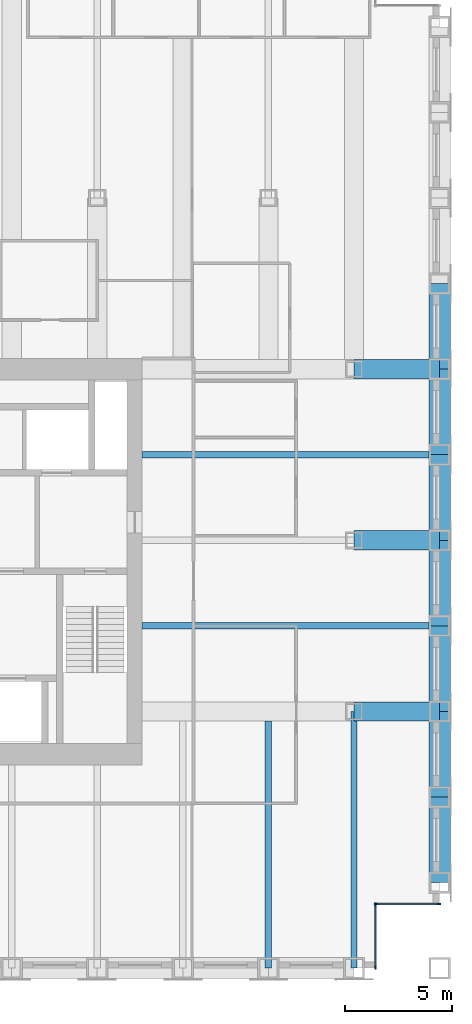
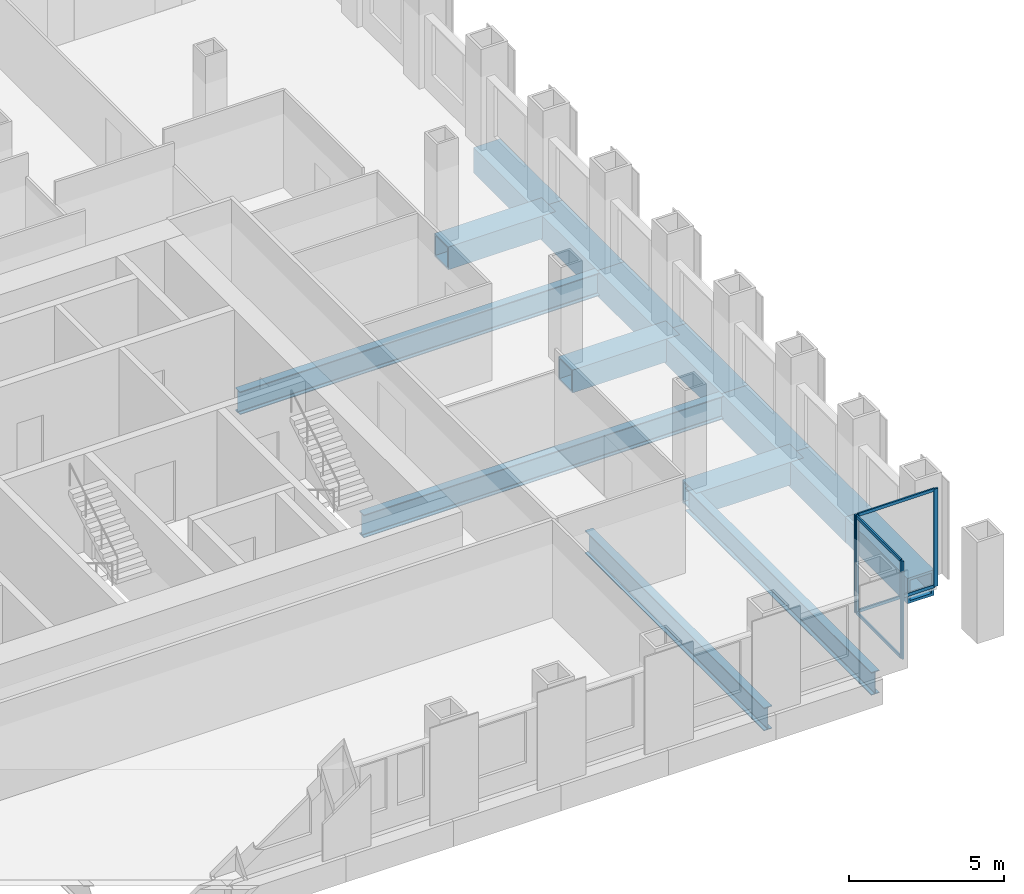
# One storey, part 4 of 13: 14 beams, 8 members, 2 elements without a shape of their own.
"""IFC4 building model written with IfcOpenShell, lengths in metres."""

from ifc_helpers import new_model, si_unit, direction, frame, origin, origin_2d, place, context, subcontext, project, spatial, rectangle, hollow_rectangle, i_section, extrude, material, material_profile, profile_set, type_object, element, aggregate, save


model = new_model("IFC4")

# Units and contexts
model_context = context("Model", 3, precision=1e-05, world=origin(), true_north=direction((0.0, 1.0)))
body_context = subcontext(model_context, "Body", "Model", "MODEL_VIEW")
ifc_project = project(units=[si_unit("LENGTHUNIT", "METRE"), si_unit("AREAUNIT", "SQUARE_METRE"), si_unit("VOLUMEUNIT", "CUBIC_METRE"), si_unit("PLANEANGLEUNIT", "RADIAN"), si_unit("MASSUNIT", "GRAM", prefix="KILO")], contexts=[model_context])

# Site, building, storey
site_placement = place(None, origin())
site = spatial("IfcSite", under=ifc_project, at=site_placement, CompositionType="ELEMENT")
building_placement = place(site_placement, origin())
building = spatial("IfcBuilding", under=site, at=building_placement, Name="Rimbunsela Tower", CompositionType="ELEMENT")
storey_placement = place(building_placement, frame((0.0, 0.0, 222.199951171875)))
storey = spatial("IfcBuildingStorey", under=building, at=storey_placement, Name="L53", CompositionType="ELEMENT", Elevation=222.199951171875)

# Beams
ifc_material_1 = material(Name="Steel BJ 55 (fy 410 MPa)", Category="steel")
ifc_material_profile_1 = material_profile(ifc_material_1, hollow_rectangle(XDim=1.0, YDim=1.0, WallThickness=0.10009765625, at=origin_2d()), Name="BOX 1000x1000x100")
ifc_profile_set_1 = profile_set([ifc_material_profile_1], Name="Steel BJ 55 (fy 410 MPa)")
beam_type_1 = type_object("IfcBeamType", Name="Beam BOX 1000x1000x100", PredefinedType="BEAM", material=ifc_profile_set_1)
for number, where, z_axis, x_axis, name in (
    (1, (50.0, 12.0, -0.64990234375), (0.0, 1.0, 0.0), (-1.0, 0.0, 0.0), "Beam B3 L53"),
    (2, (50.0, 16.0, -0.64990234375), (0.0, 1.0, 0.0), (-1.0, 0.0, 0.0), "Beam B3 L53"),
    (3, (50.0, 20.0, -0.64990234375), (0.0, 1.0, 0.0), (-1.0, 0.0, 0.0), "Beam B3 L53"),
    (4, (50.0, 24.0, -0.64990234375), (0.0, 1.0, 0.0), (-1.0, 0.0, 0.0), "Beam B3 L53"),
    (5, (50.0, 28.0, -0.64990234375), (0.0, 1.0, 0.0), (-1.0, 0.0, 0.0), "Beam B3 L53"),
    (6, (50.0, 32.0, -0.64990234375), (0.0, 1.0, 0.0), (-1.0, 0.0, 0.0), "Beam B3 L53"),
    (7, (50.0, 36.0, -0.64990234375), (0.0, 1.0, 0.0), (-1.0, 0.0, 0.0), "Beam B3 L53"),
):
    element("IfcBeam", number, at=place(storey_placement, frame(where, z_axis=z_axis, x_axis=x_axis)), inside=storey, type_object=beam_type_1, Name=name, PredefinedType="BEAM", context=body_context, shape_type="SweptSolid", body=[
        extrude(hollow_rectangle(XDim=1.0, YDim=1.0, WallThickness=0.10009765625, at=origin_2d()), origin(), (0.0, 0.0, 1.0), 4.0),
    ])
ifc_material_2 = material(Name="Steel BJ 55 (fy 410 MPa)", Category="steel")
ifc_material_profile_2 = material_profile(ifc_material_2, hollow_rectangle(XDim=0.89990234375, YDim=0.89990234375, WallThickness=0.06005859375, at=origin_2d()), Name="BOX 900x900x60")
ifc_profile_set_2 = profile_set([ifc_material_profile_2], Name="Steel BJ 55 (fy 410 MPa)")
beam_type_2 = type_object("IfcBeamType", Name="Beam BOX 900x900x60", PredefinedType="BEAM", material=ifc_profile_set_2)
for number, where, z_axis, x_axis, name in (
    (8, (46.0, 20.0, -0.599853515625), (1.0, 0.0, 0.0), (0.0, 1.0, 0.0), "Beam B1 L53"),
    (9, (46.0, 28.0, -0.599853515625), (1.0, 0.0, 0.0), (0.0, 1.0, 0.0), "Beam B1 L53"),
    (10, (46.0, 36.0, -0.599853515625), (1.0, 0.0, 0.0), (0.0, 1.0, 0.0), "Beam B1 L53"),
):
    element("IfcBeam", number, at=place(storey_placement, frame(where, z_axis=z_axis, x_axis=x_axis)), inside=storey, type_object=beam_type_2, Name=name, PredefinedType="BEAM", context=body_context, shape_type="SweptSolid", body=[
        extrude(hollow_rectangle(XDim=0.89990234375, YDim=0.89990234375, WallThickness=0.06005859375, at=origin_2d()), origin(), (0.0, 0.0, 1.0), 4.0),
    ])
ifc_material_3 = material(Name="Steel BJ 55 (fy 410 MPa)", Category="steel")
ifc_material_profile_3 = material_profile(ifc_material_3, i_section(OverallWidth=0.300048828125, OverallDepth=0.89990234375, WebThickness=0.01611328125, FlangeThickness=0.028076171875, FilletRadius=0.028076171875, at=origin_2d()), Name="H 900x300x16x28")
ifc_profile_set_3 = profile_set([ifc_material_profile_3], Name="Steel BJ 55 (fy 410 MPa)")
beam_type_3 = type_object("IfcBeamType", Name="Beam H 900x300x16x28", PredefinedType="BEAM", material=ifc_profile_set_3)
for number, where, z_axis, x_axis, name in (
    (11, (36.10009765625, 24.0, -0.599853515625), (1.0, 0.0, 0.0), (0.0, 1.0, 0.0), "Beam B2 L53"),
    (12, (36.10009765625, 32.0, -0.599853515625), (1.0, 0.0, 0.0), (0.0, 1.0, 0.0), "Beam B2 L53"),
):
    element("IfcBeam", number, at=place(storey_placement, frame(where, z_axis=z_axis, x_axis=x_axis)), inside=storey, type_object=beam_type_3, Name=name, PredefinedType="BEAM", context=body_context, shape_type="SweptSolid", body=[
        extrude(i_section(OverallWidth=0.300048828125, OverallDepth=0.89990234375, WebThickness=0.01611328125, FlangeThickness=0.028076171875, FilletRadius=0.028076171875, at=origin_2d()), origin(), (0.0, 0.0, 1.0), 13.89990234375),
    ])
beam_1_placement = place(storey_placement, frame((42.0, 8.0, -0.599853515625), z_axis=(0.0, 1.0, 0.0), x_axis=(-1.0, 0.0, 0.0)))
element("IfcBeam", 13, at=beam_1_placement, inside=storey, type_object=beam_type_3, Name="Beam B2 L53", PredefinedType="BEAM", context=body_context, shape_type="SweptSolid", body=[
    extrude(i_section(OverallWidth=0.300048828125, OverallDepth=0.89990234375, WebThickness=0.01611328125, FlangeThickness=0.028076171875, FilletRadius=0.028076171875, at=origin_2d()), origin(), (0.0, 0.0, 1.0), 11.550048828125),
])
beam_2_placement = place(storey_placement, frame((46.0, 8.0, -0.599853515625), z_axis=(0.0, 1.0, 0.0), x_axis=(-1.0, 0.0, 0.0)))
element("IfcBeam", 14, at=beam_2_placement, inside=storey, type_object=beam_type_3, Name="Beam B2 L53", PredefinedType="BEAM", context=body_context, shape_type="SweptSolid", body=[
    extrude(i_section(OverallWidth=0.300048828125, OverallDepth=0.89990234375, WebThickness=0.01611328125, FlangeThickness=0.028076171875, FilletRadius=0.028076171875, at=origin_2d()), origin(), (0.0, 0.0, 1.0), 12.0),
])

# Curtain wall, members
ifc_material_4 = material(Name="Aluminium curtain wall", Category="aluminium")
curtain_wall_type = type_object("IfcCurtainWallType", Name="Corner glazing", PredefinedType="USERDEFINED", material=ifc_material_4)
curtain_wall_1_placement = place(storey_placement, origin())
curtain_wall_1 = element("IfcCurtainWall", 15, at=curtain_wall_1_placement, inside=storey, type_object=curtain_wall_type, Name="Corner glazing L53", ObjectType="CORNER GLAZING", PredefinedType="USERDEFINED")
ifc_material_5 = material(Name="Aluminium mullion", Category="aluminium")
ifc_material_profile_4 = material_profile(ifc_material_5, rectangle(XDim=0.06005859375, YDim=0.159912109375, at=origin_2d()), Name="Mullion 60x160")
ifc_profile_set_4 = profile_set([ifc_material_profile_4], Name="Aluminium mullion")
member_type_1 = type_object("IfcMemberType", Name="Curtain wall mullion 60x160", PredefinedType="MULLION", material=ifc_profile_set_4)
member_1_placement = place(storey_placement, frame((47.0, 8.030029296875, 0.0), z_axis=(0.0, 0.0, 1.0), x_axis=(-1.0, 0.0, 0.0)))
member_1 = element("IfcMember", 16, at=member_1_placement, type_object=member_type_1, Name="CW5 mullion 1", PredefinedType="MULLION", context=body_context, shape_type="SweptSolid", body=[
    extrude(rectangle(XDim=0.06005859375, YDim=0.159912109375, at=origin_2d()), origin(), (0.0, 0.0, 1.0), 3.85009765625),
])
member_2_placement = place(storey_placement, frame((47.0, 10.969970703125, 0.0), z_axis=(0.0, 0.0, 1.0), x_axis=(-1.0, 0.0, 0.0)))
member_2 = element("IfcMember", 17, at=member_2_placement, type_object=member_type_1, Name="CW5 mullion 2", PredefinedType="MULLION", context=body_context, shape_type="SweptSolid", body=[
    extrude(rectangle(XDim=0.06005859375, YDim=0.159912109375, at=origin_2d()), origin(), (0.0, 0.0, 1.0), 3.85009765625),
])

curtain_wall_2_placement = place(storey_placement, origin())
curtain_wall_2 = element("IfcCurtainWall", 18, at=curtain_wall_2_placement, inside=storey, type_object=curtain_wall_type, Name="Corner glazing L53", ObjectType="CORNER GLAZING", PredefinedType="USERDEFINED")
member_3_placement = place(storey_placement, frame((47.030029296875, 11.0, 0.0), z_axis=(0.0, 0.0, 1.0), x_axis=(0.0, 1.0, 0.0)))
member_3 = element("IfcMember", 19, at=member_3_placement, type_object=member_type_1, Name="CW5 mullion 1", PredefinedType="MULLION", context=body_context, shape_type="SweptSolid", body=[
    extrude(rectangle(XDim=0.06005859375, YDim=0.159912109375, at=origin_2d()), origin(), (0.0, 0.0, 1.0), 3.85009765625),
])
member_4_placement = place(storey_placement, frame((49.969970703125, 11.0, 0.0), z_axis=(0.0, 0.0, 1.0), x_axis=(0.0, 1.0, 0.0)))
member_4 = element("IfcMember", 20, at=member_4_placement, type_object=member_type_1, Name="CW5 mullion 2", PredefinedType="MULLION", context=body_context, shape_type="SweptSolid", body=[
    extrude(rectangle(XDim=0.06005859375, YDim=0.159912109375, at=origin_2d()), origin(), (0.0, 0.0, 1.0), 3.85009765625),
])

# Member
ifc_material_6 = material(Name="Aluminium transom", Category="aluminium")
ifc_material_profile_5 = material_profile(ifc_material_6, rectangle(XDim=0.06005859375, YDim=0.1201171875, at=origin_2d()), Name="Transom 60x120")
ifc_profile_set_5 = profile_set([ifc_material_profile_5], Name="Aluminium transom")
member_type_2 = type_object("IfcMemberType", Name="Curtain wall transom 60x120", PredefinedType="USERDEFINED", material=ifc_profile_set_5)
member_5_placement = place(storey_placement, frame((47.0, 8.06005859375, 0.030029296875), z_axis=(0.0, 1.0, 0.0), x_axis=(-1.0, 0.0, 0.0)))
member_5 = element("IfcMember", 21, at=member_5_placement, type_object=member_type_2, Name="CW5 transom 1.1", ObjectType="TRANSOM", PredefinedType="USERDEFINED", context=body_context, shape_type="SweptSolid", body=[
    extrude(rectangle(XDim=0.06005859375, YDim=0.1201171875, at=origin_2d()), origin(), (0.0, 0.0, 1.0), 2.8798828125),
])

member_6_placement = place(storey_placement, frame((47.0, 8.06005859375, 3.820068359375), z_axis=(0.0, 1.0, 0.0), x_axis=(-1.0, 0.0, 0.0)))
member_6 = element("IfcMember", 22, at=member_6_placement, type_object=member_type_2, Name="CW5 transom 1.2", ObjectType="TRANSOM", PredefinedType="USERDEFINED", context=body_context, shape_type="SweptSolid", body=[
    extrude(rectangle(XDim=0.06005859375, YDim=0.1201171875, at=origin_2d()), origin(), (0.0, 0.0, 1.0), 2.8798828125),
])

aggregate(curtain_wall_1, [member_1, member_2, member_5, member_6])

member_7_placement = place(storey_placement, frame((47.06005859375, 11.0, 0.030029296875), z_axis=(1.0, 0.0, 0.0), x_axis=(0.0, 1.0, 0.0)))
member_7 = element("IfcMember", 23, at=member_7_placement, type_object=member_type_2, Name="CW5 transom 1.1", ObjectType="TRANSOM", PredefinedType="USERDEFINED", context=body_context, shape_type="SweptSolid", body=[
    extrude(rectangle(XDim=0.06005859375, YDim=0.1201171875, at=origin_2d()), origin(), (0.0, 0.0, 1.0), 2.8798828125),
])

member_8_placement = place(storey_placement, frame((47.06005859375, 11.0, 3.820068359375), z_axis=(1.0, 0.0, 0.0), x_axis=(0.0, 1.0, 0.0)))
member_8 = element("IfcMember", 24, at=member_8_placement, type_object=member_type_2, Name="CW5 transom 1.2", ObjectType="TRANSOM", PredefinedType="USERDEFINED", context=body_context, shape_type="SweptSolid", body=[
    extrude(rectangle(XDim=0.06005859375, YDim=0.1201171875, at=origin_2d()), origin(), (0.0, 0.0, 1.0), 2.8798828125),
])

aggregate(curtain_wall_2, [member_3, member_4, member_7, member_8])

save(model, "model.ifc")
